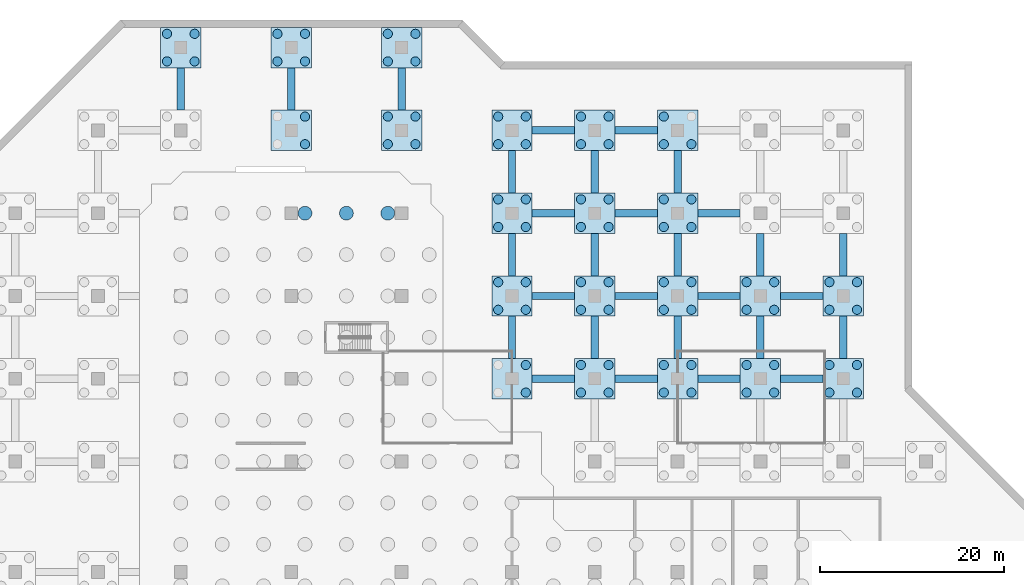
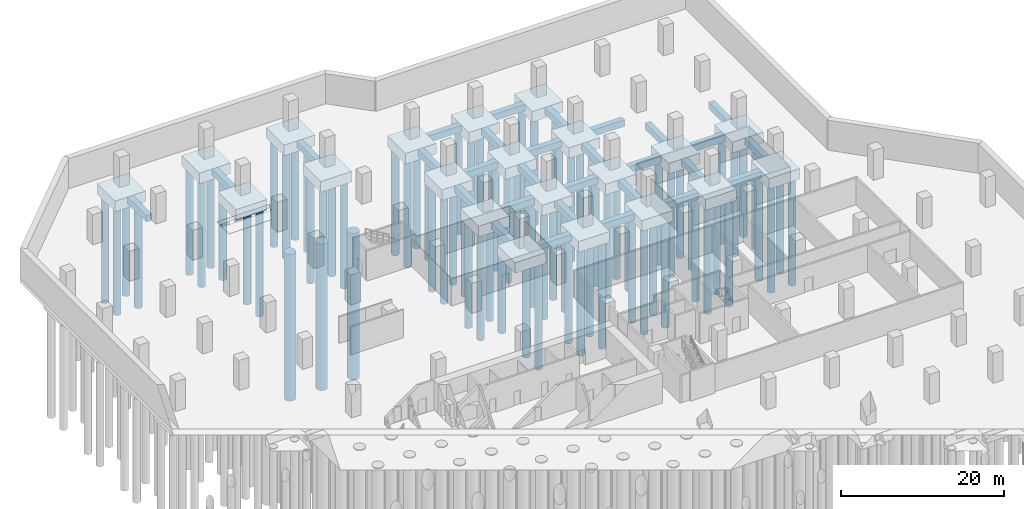
# One storey, part 4 of 13: 82 piles, 50 footings.
"""IFC4 building model written with IfcOpenShell, lengths in metres."""

import ifcopenshell
import ifcopenshell.guid

model = None  # the IFC model being written
_history = None  # IfcOwnerHistory: only IFC2X3 demands one
_inside = {}  # id of a spatial element -> (the spatial element, [elements in it])
_under = {}  # id of a project, library or spatial element -> (it, [spatial elements below it])
_declared = {}  # id of a project -> (the project, [libraries it declares])
_typed = {}  # id of a type object -> (the type object, [elements of that type])
_made_of = {}  # id of a material, layer set ... -> (it, [elements and type objects made of it])


def new_model(schema):
    """Start an empty IFC model of exactly this schema.

    Asked for "IFC4X3", IfcOpenShell would pick the latest addendum, in which some entities
    have other attributes; the version numbers below select the first issue.
    IFC2X3 requires an IfcOwnerHistory on every rooted entity: one is made here for all.
    """
    global model, _history
    if schema == "IFC4X3":
        model = ifcopenshell.file(schema_version=(4, 3, 0, 0))
    else:
        model = ifcopenshell.file(schema=schema)
    _inside.clear()
    _under.clear()
    _declared.clear()
    _typed.clear()
    _made_of.clear()
    _history = None
    if model.schema == "IFC2X3":
        org = make("IfcOrganization", Name="unknown")
        user = make(
            "IfcPersonAndOrganization",
            ThePerson=make("IfcPerson", FamilyName="unknown"),
            TheOrganization=org,
        )
        app = make(
            "IfcApplication",
            ApplicationDeveloper=org,
            Version="unknown",
            ApplicationFullName="unknown",
            ApplicationIdentifier="unknown",
        )
        _history = make(
            "IfcOwnerHistory",
            OwningUser=user,
            OwningApplication=app,
            ChangeAction="ADDED",
            CreationDate=0,
        )
    return model


def make(cls, **values):
    """One entity of the class cls with the attributes given. An attribute that is None is left unset."""
    return model.create_entity(
        cls, **{name: value for name, value in values.items() if value is not None}
    )


def rooted(cls, **values):
    """An entity with a GlobalId (a new one), such as an element, a storey or a relation."""
    return make(cls, GlobalId=ifcopenshell.guid.new(), OwnerHistory=_history, **values)


def si_unit(unit_type, name, prefix=None):
    """IfcSIUnit, for example si_unit("LENGTHUNIT", "METRE", prefix="MILLI")."""
    return make("IfcSIUnit", UnitType=unit_type, Prefix=prefix, Name=name)


def assignment(units):
    """IfcUnitAssignment: the units of a project."""
    return None if units is None else make("IfcUnitAssignment", Units=units)


def point(xyz):
    """IfcCartesianPoint."""
    return None if xyz is None else make("IfcCartesianPoint", Coordinates=xyz)


def direction(xyz):
    """IfcDirection."""
    return None if xyz is None else make("IfcDirection", DirectionRatios=xyz)


def frame(location, z_axis=None, x_axis=None):
    """IfcAxis2Placement3D, a coordinate frame: its origin and axes. An axis left out is left unset."""
    return make(
        "IfcAxis2Placement3D",
        Location=point(location),
        Axis=direction(z_axis),
        RefDirection=direction(x_axis),
    )


def frame_2d(location, x_axis=None):
    """IfcAxis2Placement2D, a coordinate frame in the plane: its origin and x axis."""
    return make(
        "IfcAxis2Placement2D", Location=point(location), RefDirection=direction(x_axis)
    )


def origin():
    """The frame at (0, 0, 0) with its axes left unset."""
    return frame((0.0, 0.0, 0.0))


def origin_2d():
    """The frame at (0, 0) in the plane with its x axis left unset."""
    return frame_2d((0.0, 0.0))


def place(relative_to, where):
    """IfcLocalPlacement: puts the frame where relative to a parent placement (None: the world)."""
    return make(
        "IfcLocalPlacement", PlacementRelTo=relative_to, RelativePlacement=where
    )


def context(
    kind, dimensions, precision=None, world=None, true_north=None, identifier=None
):
    """IfcGeometricRepresentationContext, for example the 3D "Model" context."""
    return make(
        "IfcGeometricRepresentationContext",
        ContextIdentifier=identifier,
        ContextType=kind,
        CoordinateSpaceDimension=dimensions,
        Precision=precision,
        WorldCoordinateSystem=world,
        TrueNorth=true_north,
    )


def subcontext(parent, identifier, kind, view, scale=None):
    """IfcGeometricRepresentationSubContext, for example "Body" below "Model"."""
    return make(
        "IfcGeometricRepresentationSubContext",
        ContextIdentifier=identifier,
        ContextType=kind,
        ParentContext=parent,
        TargetScale=scale,
        TargetView=view,
    )


def project(units=None, contexts=None):
    """IfcProject with its units and contexts."""
    return rooted(
        "IfcProject",
        Name="project",
        RepresentationContexts=contexts,
        UnitsInContext=assignment(units),
    )


def spatial(cls, under=None, at=None, **own):
    """A site, building, storey or space (cls), placed at a placement, below another one or the project."""
    s = rooted(cls, ObjectPlacement=at, **own)
    if under is not None:
        _under.setdefault(under.id(), (under, []))[1].append(s)
    return s


def polyline(points):
    """IfcPolyline through the points."""
    return make("IfcPolyline", Points=[point(p) for p in points])


def profile(cls, at=None, kind="AREA", **sizes):
    """A parametric profile (cls). Its sizes go by their IFC names, for example OverallWidth=200.0."""
    return make(cls, ProfileType=kind, Position=at, **sizes)


def circle(**sizes):
    """IfcCircleProfileDef."""
    return profile("IfcCircleProfileDef", **sizes)


def outline(outer, holes=None, kind="AREA"):
    """IfcArbitraryClosedProfileDef: a profile drawn as a closed curve; with holes, ...WithVoids."""
    if holes is None:
        return make("IfcArbitraryClosedProfileDef", ProfileType=kind, OuterCurve=outer)
    return make(
        "IfcArbitraryProfileDefWithVoids",
        ProfileType=kind,
        OuterCurve=outer,
        InnerCurves=holes,
    )


def extrude(swept, where, along, depth):
    """IfcExtrudedAreaSolid: the profile swept, set in the frame where, extruded along a direction by depth."""
    return make(
        "IfcExtrudedAreaSolid",
        SweptArea=swept,
        Position=where,
        ExtrudedDirection=direction(along),
        Depth=depth,
    )


def shape(context_of_items, identifier, shape_type, items):
    """IfcShapeRepresentation: the items that make up one representation, for example the "Body"."""
    return make(
        "IfcShapeRepresentation",
        ContextOfItems=context_of_items,
        RepresentationIdentifier=identifier,
        RepresentationType=shape_type,
        Items=items,
    )


def material(Name=None, Category=None):
    """IfcMaterial."""
    return make("IfcMaterial", Name=Name, Category=Category)


def layer(
    of_material, thickness, ventilated=None, Name=None, Category=None, Priority=None
):
    """IfcMaterialLayer: one layer of a wall or slab, of a material (None: an air gap)."""
    return make(
        "IfcMaterialLayer",
        Material=of_material,
        LayerThickness=thickness,
        IsVentilated=ventilated,
        Name=Name,
        Category=Category,
        Priority=Priority,
    )


def layer_set(layers, Name=None):
    """IfcMaterialLayerSet."""
    return make("IfcMaterialLayerSet", MaterialLayers=layers, LayerSetName=Name)


def material_profile(
    of_material, cross_section, Name=None, Category=None, Priority=None
):
    """IfcMaterialProfile: a cross section and its material."""
    return make(
        "IfcMaterialProfile",
        Name=Name,
        Material=of_material,
        Profile=cross_section,
        Priority=Priority,
        Category=Category,
    )


def profile_set(profiles, Name=None, composite=None):
    """IfcMaterialProfileSet."""
    return make(
        "IfcMaterialProfileSet",
        Name=Name,
        MaterialProfiles=profiles,
        CompositeProfile=composite,
    )


def made_of(thing, what):
    """Note that an element or type object is made of a material, layer set ...; save() writes the relation."""
    if what is not None:
        _made_of.setdefault(what.id(), (what, []))[1].append(thing)
    return thing


def type_object(cls, material=None, **own):
    """A type object (cls), such as IfcWallType, which elements share."""
    return made_of(rooted(cls, **own), material)


def element(
    cls,
    number,
    at=None,
    inside=None,
    cuts=None,
    type_object=None,
    material=None,
    context=None,
    identifier="Body",
    shape_type=None,
    held_by="IfcProductDefinitionShape",
    body=None,
    shapes=None,
    **own,
):
    """One element of the class cls, such as IfcWall. Its Tag is "e" and its number.

    at: its placement. inside: the storey or other place that contains it. cuts: it is an
    opening in that element (IfcRelVoidsElement). A single representation is given by context,
    identifier, shape_type and body (its items); several are given by shapes. held_by: the class
    of the entity that holds the representations. save() writes the other relations.
    """
    e = rooted(cls, Tag="e%d" % number, ObjectPlacement=at, **own)
    if body is not None:
        shapes = [shape(context, identifier, shape_type, body)]
    if shapes is not None:
        e.Representation = make(held_by, Representations=shapes)
    if inside is not None:
        _inside.setdefault(inside.id(), (inside, []))[1].append(e)
    if cuts is not None:
        rooted(
            "IfcRelVoidsElement", RelatingBuildingElement=cuts, RelatedOpeningElement=e
        )
    if type_object is not None:
        _typed.setdefault(type_object.id(), (type_object, []))[1].append(e)
    return made_of(e, material)


def aggregate(whole, parts):
    """IfcRelAggregates: a whole, such as a stair, and the parts it consists of."""
    return rooted("IfcRelAggregates", RelatingObject=whole, RelatedObjects=parts)


def save(model, path):
    """Write the relations noted so far, then the file.

    IfcRelAggregates (storeys below a building ...), IfcRelContainedInSpatialStructure (elements
    in a storey), IfcRelDefinesByType, IfcRelAssociatesMaterial and IfcRelDeclares: one each for
    every whole, place, type object, material and project.
    """
    for whole, parts in _under.values():
        aggregate(whole, parts)
    for where, things in _inside.values():
        rooted(
            "IfcRelContainedInSpatialStructure",
            RelatedElements=things,
            RelatingStructure=where,
        )
    for kind, things in _typed.values():
        rooted("IfcRelDefinesByType", RelatedObjects=things, RelatingType=kind)
    for what, things in _made_of.values():
        rooted("IfcRelAssociatesMaterial", RelatedObjects=things, RelatingMaterial=what)
    for by, libraries in _declared.values():
        rooted("IfcRelDeclares", RelatingContext=by, RelatedDefinitions=libraries)
    model.write(path)


model = new_model("IFC4")

# Units and contexts
model_context = context("Model", 3, precision=1e-05, world=origin(), true_north=direction((0.0, 1.0)))
body_context = subcontext(model_context, "Body", "Model", "MODEL_VIEW")
ifc_project = project(units=[si_unit("LENGTHUNIT", "METRE"), si_unit("AREAUNIT", "SQUARE_METRE"), si_unit("VOLUMEUNIT", "CUBIC_METRE"), si_unit("PLANEANGLEUNIT", "RADIAN"), si_unit("MASSUNIT", "GRAM", prefix="KILO")], contexts=[model_context])

# Site, building, storey
site_placement = place(None, origin())
site = spatial("IfcSite", under=ifc_project, at=site_placement, CompositionType="ELEMENT")
building_placement = place(site_placement, origin())
building = spatial("IfcBuilding", under=site, at=building_placement, Name="Chenar Terraces", CompositionType="ELEMENT")
storey_placement = place(building_placement, frame((0.0, 0.0, -13.5)))
storey = spatial("IfcBuildingStorey", under=building, at=storey_placement, Name="B3", CompositionType="ELEMENT", Elevation=-13.5)

# Piles
ifc_material_1 = material(Name="Concrete C40/50 sulfate-resisting", Category="concrete")
ifc_material_profile_1 = material_profile(ifc_material_1, circle(Radius=0.5, at=origin_2d()), Name="BP 1000")
ifc_profile_set_1 = profile_set([ifc_material_profile_1], Name="Concrete C40/50 sulfate-resisting")
pile_type_1 = type_object("IfcPileType", Name="Bored pile 1000", PredefinedType="BORED", material=ifc_profile_set_1)
for number, where, z_axis, x_axis, name in (
    (1, (-1.5, 79.5, -2.10009765625), (0.0, 0.0, -1.0), (1.0, 0.0, 0.0), "Pile 5/N 1"),
    (2, (1.5, 79.5, -2.10009765625), (0.0, 0.0, -1.0), (1.0, 0.0, 0.0), "Pile 5/N 2"),
    (3, (-1.5, 82.5, -2.10009765625), (0.0, 0.0, -1.0), (1.0, 0.0, 0.0), "Pile 5/N 3"),
    (4, (1.5, 82.5, -2.10009765625), (0.0, 0.0, -1.0), (1.0, 0.0, 0.0), "Pile 5/N 4"),
    (5, (13.5, 70.5, -2.10009765625), (0.0, 0.0, -1.0), (1.0, 0.0, 0.0), "Pile 6/M 2"),
    (6, (13.5, 73.5, -2.10009765625), (0.0, 0.0, -1.0), (1.0, 0.0, 0.0), "Pile 6/M 4"),
    (7, (10.5, 79.5, -2.10009765625), (0.0, 0.0, -1.0), (1.0, 0.0, 0.0), "Pile 6/N 1"),
    (8, (13.5, 79.5, -2.10009765625), (0.0, 0.0, -1.0), (1.0, 0.0, 0.0), "Pile 6/N 2"),
    (9, (10.5, 82.5, -2.10009765625), (0.0, 0.0, -1.0), (1.0, 0.0, 0.0), "Pile 6/N 3"),
    (10, (13.5, 82.5, -2.10009765625), (0.0, 0.0, -1.0), (1.0, 0.0, 0.0), "Pile 6/N 4"),
    (11, (22.5, 70.5, -2.10009765625), (0.0, 0.0, -1.0), (1.0, 0.0, 0.0), "Pile 7/M 1"),
    (12, (25.5, 70.5, -2.10009765625), (0.0, 0.0, -1.0), (1.0, 0.0, 0.0), "Pile 7/M 2"),
    (13, (22.5, 73.5, -2.10009765625), (0.0, 0.0, -1.0), (1.0, 0.0, 0.0), "Pile 7/M 3"),
    (14, (25.5, 73.5, -2.10009765625), (0.0, 0.0, -1.0), (1.0, 0.0, 0.0), "Pile 7/M 4"),
    (15, (22.5, 79.5, -2.10009765625), (0.0, 0.0, -1.0), (1.0, 0.0, 0.0), "Pile 7/N 1"),
    (16, (25.5, 79.5, -2.10009765625), (0.0, 0.0, -1.0), (1.0, 0.0, 0.0), "Pile 7/N 2"),
    (17, (22.5, 82.5, -2.10009765625), (0.0, 0.0, -1.0), (1.0, 0.0, 0.0), "Pile 7/N 3"),
    (18, (25.5, 82.5, -2.10009765625), (0.0, 0.0, -1.0), (1.0, 0.0, 0.0), "Pile 7/N 4"),
    (19, (37.5, 43.5, -2.10009765625), (0.0, 0.0, -1.0), (1.0, 0.0, 0.0), "Pile 8/J 2"),
    (20, (37.5, 46.5, -2.10009765625), (0.0, 0.0, -1.0), (1.0, 0.0, 0.0), "Pile 8/J 4"),
    (21, (34.5, 52.5, -2.10009765625), (0.0, 0.0, -1.0), (1.0, 0.0, 0.0), "Pile 8/K 1"),
    (22, (37.5, 52.5, -2.10009765625), (0.0, 0.0, -1.0), (1.0, 0.0, 0.0), "Pile 8/K 2"),
    (23, (34.5, 55.5, -2.10009765625), (0.0, 0.0, -1.0), (1.0, 0.0, 0.0), "Pile 8/K 3"),
    (24, (37.5, 55.5, -2.10009765625), (0.0, 0.0, -1.0), (1.0, 0.0, 0.0), "Pile 8/K 4"),
    (25, (34.5, 61.5, -2.10009765625), (0.0, 0.0, -1.0), (1.0, 0.0, 0.0), "Pile 8/L 1"),
    (26, (37.5, 61.5, -2.10009765625), (0.0, 0.0, -1.0), (1.0, 0.0, 0.0), "Pile 8/L 2"),
    (27, (34.5, 64.5, -2.10009765625), (0.0, 0.0, -1.0), (1.0, 0.0, 0.0), "Pile 8/L 3"),
    (28, (37.5, 64.5, -2.10009765625), (0.0, 0.0, -1.0), (1.0, 0.0, 0.0), "Pile 8/L 4"),
    (29, (34.5, 70.5, -2.10009765625), (0.0, 0.0, -1.0), (1.0, 0.0, 0.0), "Pile 8/M 1"),
    (30, (37.5, 70.5, -2.10009765625), (0.0, 0.0, -1.0), (1.0, 0.0, 0.0), "Pile 8/M 2"),
    (31, (34.5, 73.5, -2.10009765625), (0.0, 0.0, -1.0), (1.0, 0.0, 0.0), "Pile 8/M 3"),
    (32, (37.5, 73.5, -2.10009765625), (0.0, 0.0, -1.0), (1.0, 0.0, 0.0), "Pile 8/M 4"),
    (33, (43.5, 43.5, -2.10009765625), (0.0, 0.0, -1.0), (1.0, 0.0, 0.0), "Pile 9/J 1"),
    (34, (46.5, 43.5, -2.10009765625), (0.0, 0.0, -1.0), (1.0, 0.0, 0.0), "Pile 9/J 2"),
    (35, (43.5, 46.5, -2.10009765625), (0.0, 0.0, -1.0), (1.0, 0.0, 0.0), "Pile 9/J 3"),
    (36, (46.5, 46.5, -2.10009765625), (0.0, 0.0, -1.0), (1.0, 0.0, 0.0), "Pile 9/J 4"),
    (37, (43.5, 52.5, -2.10009765625), (0.0, 0.0, -1.0), (1.0, 0.0, 0.0), "Pile 9/K 1"),
    (38, (46.5, 52.5, -2.10009765625), (0.0, 0.0, -1.0), (1.0, 0.0, 0.0), "Pile 9/K 2"),
    (39, (43.5, 55.5, -2.10009765625), (0.0, 0.0, -1.0), (1.0, 0.0, 0.0), "Pile 9/K 3"),
    (40, (46.5, 55.5, -2.10009765625), (0.0, 0.0, -1.0), (1.0, 0.0, 0.0), "Pile 9/K 4"),
    (41, (43.5, 61.5, -2.10009765625), (0.0, 0.0, -1.0), (1.0, 0.0, 0.0), "Pile 9/L 1"),
    (42, (46.5, 61.5, -2.10009765625), (0.0, 0.0, -1.0), (1.0, 0.0, 0.0), "Pile 9/L 2"),
    (43, (43.5, 64.5, -2.10009765625), (0.0, 0.0, -1.0), (1.0, 0.0, 0.0), "Pile 9/L 3"),
    (44, (46.5, 64.5, -2.10009765625), (0.0, 0.0, -1.0), (1.0, 0.0, 0.0), "Pile 9/L 4"),
    (45, (43.5, 70.5, -2.10009765625), (0.0, 0.0, -1.0), (1.0, 0.0, 0.0), "Pile 9/M 1"),
    (46, (46.5, 70.5, -2.10009765625), (0.0, 0.0, -1.0), (1.0, 0.0, 0.0), "Pile 9/M 2"),
    (47, (43.5, 73.5, -2.10009765625), (0.0, 0.0, -1.0), (1.0, 0.0, 0.0), "Pile 9/M 3"),
    (48, (46.5, 73.5, -2.10009765625), (0.0, 0.0, -1.0), (1.0, 0.0, 0.0), "Pile 9/M 4"),
    (49, (52.5, 43.5, -2.10009765625), (0.0, 0.0, -1.0), (1.0, 0.0, 0.0), "Pile 10/J 1"),
    (50, (55.5, 43.5, -2.10009765625), (0.0, 0.0, -1.0), (1.0, 0.0, 0.0), "Pile 10/J 2"),
    (51, (52.5, 46.5, -2.10009765625), (0.0, 0.0, -1.0), (1.0, 0.0, 0.0), "Pile 10/J 3"),
    (52, (55.5, 46.5, -2.10009765625), (0.0, 0.0, -1.0), (1.0, 0.0, 0.0), "Pile 10/J 4"),
    (53, (52.5, 52.5, -2.10009765625), (0.0, 0.0, -1.0), (1.0, 0.0, 0.0), "Pile 10/K 1"),
    (54, (55.5, 52.5, -2.10009765625), (0.0, 0.0, -1.0), (1.0, 0.0, 0.0), "Pile 10/K 2"),
    (55, (52.5, 55.5, -2.10009765625), (0.0, 0.0, -1.0), (1.0, 0.0, 0.0), "Pile 10/K 3"),
    (56, (55.5, 55.5, -2.10009765625), (0.0, 0.0, -1.0), (1.0, 0.0, 0.0), "Pile 10/K 4"),
    (57, (52.5, 61.5, -2.10009765625), (0.0, 0.0, -1.0), (1.0, 0.0, 0.0), "Pile 10/L 1"),
    (58, (55.5, 61.5, -2.10009765625), (0.0, 0.0, -1.0), (1.0, 0.0, 0.0), "Pile 10/L 2"),
    (59, (52.5, 64.5, -2.10009765625), (0.0, 0.0, -1.0), (1.0, 0.0, 0.0), "Pile 10/L 3"),
    (60, (55.5, 64.5, -2.10009765625), (0.0, 0.0, -1.0), (1.0, 0.0, 0.0), "Pile 10/L 4"),
    (61, (52.5, 70.5, -2.10009765625), (0.0, 0.0, -1.0), (1.0, 0.0, 0.0), "Pile 10/M 1"),
    (62, (55.5, 70.5, -2.10009765625), (0.0, 0.0, -1.0), (1.0, 0.0, 0.0), "Pile 10/M 2"),
    (63, (52.5, 73.5, -2.10009765625), (0.0, 0.0, -1.0), (1.0, 0.0, 0.0), "Pile 10/M 3"),
    (64, (61.5, 43.5, -2.10009765625), (0.0, 0.0, -1.0), (1.0, 0.0, 0.0), "Pile 11/J 1"),
    (65, (64.5, 43.5, -2.10009765625), (0.0, 0.0, -1.0), (1.0, 0.0, 0.0), "Pile 11/J 2"),
    (66, (61.5, 46.5, -2.10009765625), (0.0, 0.0, -1.0), (1.0, 0.0, 0.0), "Pile 11/J 3"),
    (67, (64.5, 46.5, -2.10009765625), (0.0, 0.0, -1.0), (1.0, 0.0, 0.0), "Pile 11/J 4"),
    (68, (61.5, 52.5, -2.10009765625), (0.0, 0.0, -1.0), (1.0, 0.0, 0.0), "Pile 11/K 1"),
    (69, (64.5, 52.5, -2.10009765625), (0.0, 0.0, -1.0), (1.0, 0.0, 0.0), "Pile 11/K 2"),
    (70, (61.5, 55.5, -2.10009765625), (0.0, 0.0, -1.0), (1.0, 0.0, 0.0), "Pile 11/K 3"),
    (71, (64.5, 55.5, -2.10009765625), (0.0, 0.0, -1.0), (1.0, 0.0, 0.0), "Pile 11/K 4"),
    (72, (70.5, 43.5, -2.10009765625), (0.0, 0.0, -1.0), (1.0, 0.0, 0.0), "Pile 12/J 1"),
    (73, (73.5, 43.5, -2.10009765625), (0.0, 0.0, -1.0), (1.0, 0.0, 0.0), "Pile 12/J 2"),
    (74, (70.5, 46.5, -2.10009765625), (0.0, 0.0, -1.0), (1.0, 0.0, 0.0), "Pile 12/J 3"),
    (75, (73.5, 46.5, -2.10009765625), (0.0, 0.0, -1.0), (1.0, 0.0, 0.0), "Pile 12/J 4"),
    (76, (70.5, 52.5, -2.10009765625), (0.0, 0.0, -1.0), (1.0, 0.0, 0.0), "Pile 12/K 1"),
    (77, (73.5, 52.5, -2.10009765625), (0.0, 0.0, -1.0), (1.0, 0.0, 0.0), "Pile 12/K 2"),
    (78, (70.5, 55.5, -2.10009765625), (0.0, 0.0, -1.0), (1.0, 0.0, 0.0), "Pile 12/K 3"),
    (79, (73.5, 55.5, -2.10009765625), (0.0, 0.0, -1.0), (1.0, 0.0, 0.0), "Pile 12/K 4"),
):
    element("IfcPile", number, at=place(storey_placement, frame(where, z_axis=z_axis, x_axis=x_axis)), inside=storey, type_object=pile_type_1, Name=name, PredefinedType="BORED", context=body_context, shape_type="SweptSolid", body=[
        extrude(circle(Radius=0.5, at=origin_2d()), origin(), (0.0, 0.0, 1.0), 16.0),
    ])
ifc_material_2 = material(Name="Concrete C40/50 sulfate-resisting", Category="concrete")
ifc_material_profile_2 = material_profile(ifc_material_2, circle(Radius=0.75, at=origin_2d()), Name="BP 1500")
ifc_profile_set_2 = profile_set([ifc_material_profile_2], Name="Concrete C40/50 sulfate-resisting")
pile_type_2 = type_object("IfcPileType", Name="Bored pile 1500", PredefinedType="BORED", material=ifc_profile_set_2)
for number, where, z_axis, x_axis, name in (
    (80, (13.5, 63.0, -4.0), (0.0, 0.0, -1.0), (1.0, 0.0, 0.0), "Raft pile 172"),
    (81, (18.0, 63.0, -4.0), (0.0, 0.0, -1.0), (1.0, 0.0, 0.0), "Raft pile 173"),
    (82, (22.5, 63.0, -4.0), (0.0, 0.0, -1.0), (1.0, 0.0, 0.0), "Raft pile 174"),
):
    element("IfcPile", number, at=place(storey_placement, frame(where, z_axis=z_axis, x_axis=x_axis)), inside=storey, type_object=pile_type_2, Name=name, PredefinedType="BORED", context=body_context, shape_type="SweptSolid", body=[
        extrude(circle(Radius=0.75, at=origin_2d()), origin(), (0.0, 0.0, 1.0), 22.0),
    ])

# Footings
ifc_material_3 = material(Name="Concrete C40/50 sulfate-resisting", Category="concrete")
ifc_layer_1 = layer(ifc_material_3, 1.0)
ifc_layer_set_1 = layer_set([ifc_layer_1], Name="Concrete C40/50 sulfate-resisting")
footing_type_1 = type_object("IfcFootingType", Name="Footing tie beam 800 x 1000", PredefinedType="FOOTING_BEAM", material=ifc_layer_set_1)
placement_1 = place(storey_placement, frame((0.0, 0.0, -1.60009765625)))
element("IfcFooting", 83, at=placement_1, inside=storey, type_object=footing_type_1, Name="Footing tie beam 5M-01", PredefinedType="FOOTING_BEAM", context=body_context, shape_type="SweptSolid", body=[
    extrude(outline(polyline([(0.39990234375, 74.199951171875), (0.39990234375, 78.800048828125), (-0.39990234375, 78.800048828125), (-0.39990234375, 74.199951171875), (0.39990234375, 74.199951171875)])), origin(), (0.0, 0.0, 1.0), 1.0),
])
element("IfcFooting", 84, at=placement_1, inside=storey, type_object=footing_type_1, Name="Footing tie beam 6M-01", PredefinedType="FOOTING_BEAM", context=body_context, shape_type="SweptSolid", body=[
    extrude(outline(polyline([(12.39990234375, 74.199951171875), (12.39990234375, 78.800048828125), (11.60009765625, 78.800048828125), (11.60009765625, 74.199951171875), (12.39990234375, 74.199951171875)])), origin(), (0.0, 0.0, 1.0), 1.0),
])
element("IfcFooting", 85, at=placement_1, inside=storey, type_object=footing_type_1, Name="Footing tie beam 7M-01", PredefinedType="FOOTING_BEAM", context=body_context, shape_type="SweptSolid", body=[
    extrude(outline(polyline([(24.39990234375, 74.199951171875), (24.39990234375, 78.800048828125), (23.60009765625, 78.800048828125), (23.60009765625, 74.199951171875), (24.39990234375, 74.199951171875)])), origin(), (0.0, 0.0, 1.0), 1.0),
])
element("IfcFooting", 86, at=placement_1, inside=storey, type_object=footing_type_1, Name="Footing tie beam 8J-10", PredefinedType="FOOTING_BEAM", context=body_context, shape_type="SweptSolid", body=[
    extrude(outline(polyline([(42.800048828125, 44.60009765625), (42.800048828125, 45.39990234375), (38.199951171875, 45.39990234375), (38.199951171875, 44.60009765625), (42.800048828125, 44.60009765625)])), origin(), (0.0, 0.0, 1.0), 1.0),
])
element("IfcFooting", 87, at=placement_1, inside=storey, type_object=footing_type_1, Name="Footing tie beam 8J-01", PredefinedType="FOOTING_BEAM", context=body_context, shape_type="SweptSolid", body=[
    extrude(outline(polyline([(36.39990234375, 47.199951171875), (36.39990234375, 51.800048828125), (35.60009765625, 51.800048828125), (35.60009765625, 47.199951171875), (36.39990234375, 47.199951171875)])), origin(), (0.0, 0.0, 1.0), 1.0),
])
element("IfcFooting", 88, at=placement_1, inside=storey, type_object=footing_type_1, Name="Footing tie beam 8K-10", PredefinedType="FOOTING_BEAM", context=body_context, shape_type="SweptSolid", body=[
    extrude(outline(polyline([(42.800048828125, 53.60009765625), (42.800048828125, 54.39990234375), (38.199951171875, 54.39990234375), (38.199951171875, 53.60009765625), (42.800048828125, 53.60009765625)])), origin(), (0.0, 0.0, 1.0), 1.0),
])
element("IfcFooting", 89, at=placement_1, inside=storey, type_object=footing_type_1, Name="Footing tie beam 8K-01", PredefinedType="FOOTING_BEAM", context=body_context, shape_type="SweptSolid", body=[
    extrude(outline(polyline([(36.39990234375, 56.199951171875), (36.39990234375, 60.800048828125), (35.60009765625, 60.800048828125), (35.60009765625, 56.199951171875), (36.39990234375, 56.199951171875)])), origin(), (0.0, 0.0, 1.0), 1.0),
])
element("IfcFooting", 90, at=placement_1, inside=storey, type_object=footing_type_1, Name="Footing tie beam 8L-10", PredefinedType="FOOTING_BEAM", context=body_context, shape_type="SweptSolid", body=[
    extrude(outline(polyline([(42.800048828125, 62.60009765625), (42.800048828125, 63.39990234375), (38.199951171875, 63.39990234375), (38.199951171875, 62.60009765625), (42.800048828125, 62.60009765625)])), origin(), (0.0, 0.0, 1.0), 1.0),
])
element("IfcFooting", 91, at=placement_1, inside=storey, type_object=footing_type_1, Name="Footing tie beam 8L-01", PredefinedType="FOOTING_BEAM", context=body_context, shape_type="SweptSolid", body=[
    extrude(outline(polyline([(36.39990234375, 65.199951171875), (36.39990234375, 69.800048828125), (35.60009765625, 69.800048828125), (35.60009765625, 65.199951171875), (36.39990234375, 65.199951171875)])), origin(), (0.0, 0.0, 1.0), 1.0),
])
element("IfcFooting", 92, at=placement_1, inside=storey, type_object=footing_type_1, Name="Footing tie beam 8M-10", PredefinedType="FOOTING_BEAM", context=body_context, shape_type="SweptSolid", body=[
    extrude(outline(polyline([(42.800048828125, 71.60009765625), (42.800048828125, 72.39990234375), (38.199951171875, 72.39990234375), (38.199951171875, 71.60009765625), (42.800048828125, 71.60009765625)])), origin(), (0.0, 0.0, 1.0), 1.0),
])
element("IfcFooting", 93, at=placement_1, inside=storey, type_object=footing_type_1, Name="Footing tie beam 9J-10", PredefinedType="FOOTING_BEAM", context=body_context, shape_type="SweptSolid", body=[
    extrude(outline(polyline([(51.800048828125, 44.60009765625), (51.800048828125, 45.39990234375), (47.199951171875, 45.39990234375), (47.199951171875, 44.60009765625), (51.800048828125, 44.60009765625)])), origin(), (0.0, 0.0, 1.0), 1.0),
])
element("IfcFooting", 94, at=placement_1, inside=storey, type_object=footing_type_1, Name="Footing tie beam 9J-01", PredefinedType="FOOTING_BEAM", context=body_context, shape_type="SweptSolid", body=[
    extrude(outline(polyline([(45.39990234375, 47.199951171875), (45.39990234375, 51.800048828125), (44.60009765625, 51.800048828125), (44.60009765625, 47.199951171875), (45.39990234375, 47.199951171875)])), origin(), (0.0, 0.0, 1.0), 1.0),
])
element("IfcFooting", 95, at=placement_1, inside=storey, type_object=footing_type_1, Name="Footing tie beam 9K-10", PredefinedType="FOOTING_BEAM", context=body_context, shape_type="SweptSolid", body=[
    extrude(outline(polyline([(51.800048828125, 53.60009765625), (51.800048828125, 54.39990234375), (47.199951171875, 54.39990234375), (47.199951171875, 53.60009765625), (51.800048828125, 53.60009765625)])), origin(), (0.0, 0.0, 1.0), 1.0),
])
element("IfcFooting", 96, at=placement_1, inside=storey, type_object=footing_type_1, Name="Footing tie beam 9K-01", PredefinedType="FOOTING_BEAM", context=body_context, shape_type="SweptSolid", body=[
    extrude(outline(polyline([(45.39990234375, 56.199951171875), (45.39990234375, 60.800048828125), (44.60009765625, 60.800048828125), (44.60009765625, 56.199951171875), (45.39990234375, 56.199951171875)])), origin(), (0.0, 0.0, 1.0), 1.0),
])
element("IfcFooting", 97, at=placement_1, inside=storey, type_object=footing_type_1, Name="Footing tie beam 9L-10", PredefinedType="FOOTING_BEAM", context=body_context, shape_type="SweptSolid", body=[
    extrude(outline(polyline([(51.800048828125, 62.60009765625), (51.800048828125, 63.39990234375), (47.199951171875, 63.39990234375), (47.199951171875, 62.60009765625), (51.800048828125, 62.60009765625)])), origin(), (0.0, 0.0, 1.0), 1.0),
])
element("IfcFooting", 98, at=placement_1, inside=storey, type_object=footing_type_1, Name="Footing tie beam 9L-01", PredefinedType="FOOTING_BEAM", context=body_context, shape_type="SweptSolid", body=[
    extrude(outline(polyline([(45.39990234375, 65.199951171875), (45.39990234375, 69.800048828125), (44.60009765625, 69.800048828125), (44.60009765625, 65.199951171875), (45.39990234375, 65.199951171875)])), origin(), (0.0, 0.0, 1.0), 1.0),
])
element("IfcFooting", 99, at=placement_1, inside=storey, type_object=footing_type_1, Name="Footing tie beam 9M-10", PredefinedType="FOOTING_BEAM", context=body_context, shape_type="SweptSolid", body=[
    extrude(outline(polyline([(51.800048828125, 71.60009765625), (51.800048828125, 72.39990234375), (47.199951171875, 72.39990234375), (47.199951171875, 71.60009765625), (51.800048828125, 71.60009765625)])), origin(), (0.0, 0.0, 1.0), 1.0),
])
element("IfcFooting", 100, at=placement_1, inside=storey, type_object=footing_type_1, Name="Footing tie beam 10J-10", PredefinedType="FOOTING_BEAM", context=body_context, shape_type="SweptSolid", body=[
    extrude(outline(polyline([(60.800048828125, 44.60009765625), (60.800048828125, 45.39990234375), (56.199951171875, 45.39990234375), (56.199951171875, 44.60009765625), (60.800048828125, 44.60009765625)])), origin(), (0.0, 0.0, 1.0), 1.0),
])
element("IfcFooting", 101, at=placement_1, inside=storey, type_object=footing_type_1, Name="Footing tie beam 10J-01", PredefinedType="FOOTING_BEAM", context=body_context, shape_type="SweptSolid", body=[
    extrude(outline(polyline([(54.39990234375, 47.199951171875), (54.39990234375, 51.800048828125), (53.60009765625, 51.800048828125), (53.60009765625, 47.199951171875), (54.39990234375, 47.199951171875)])), origin(), (0.0, 0.0, 1.0), 1.0),
])
element("IfcFooting", 102, at=placement_1, inside=storey, type_object=footing_type_1, Name="Footing tie beam 10K-10", PredefinedType="FOOTING_BEAM", context=body_context, shape_type="SweptSolid", body=[
    extrude(outline(polyline([(60.800048828125, 53.60009765625), (60.800048828125, 54.39990234375), (56.199951171875, 54.39990234375), (56.199951171875, 53.60009765625), (60.800048828125, 53.60009765625)])), origin(), (0.0, 0.0, 1.0), 1.0),
])
element("IfcFooting", 103, at=placement_1, inside=storey, type_object=footing_type_1, Name="Footing tie beam 10K-01", PredefinedType="FOOTING_BEAM", context=body_context, shape_type="SweptSolid", body=[
    extrude(outline(polyline([(54.39990234375, 56.199951171875), (54.39990234375, 60.800048828125), (53.60009765625, 60.800048828125), (53.60009765625, 56.199951171875), (54.39990234375, 56.199951171875)])), origin(), (0.0, 0.0, 1.0), 1.0),
])
element("IfcFooting", 104, at=placement_1, inside=storey, type_object=footing_type_1, Name="Footing tie beam 10L-10", PredefinedType="FOOTING_BEAM", context=body_context, shape_type="SweptSolid", body=[
    extrude(outline(polyline([(60.800048828125, 62.60009765625), (60.800048828125, 63.39990234375), (56.199951171875, 63.39990234375), (56.199951171875, 62.60009765625), (60.800048828125, 62.60009765625)])), origin(), (0.0, 0.0, 1.0), 1.0),
])
element("IfcFooting", 105, at=placement_1, inside=storey, type_object=footing_type_1, Name="Footing tie beam 10L-01", PredefinedType="FOOTING_BEAM", context=body_context, shape_type="SweptSolid", body=[
    extrude(outline(polyline([(54.39990234375, 65.199951171875), (54.39990234375, 69.800048828125), (53.60009765625, 69.800048828125), (53.60009765625, 65.199951171875), (54.39990234375, 65.199951171875)])), origin(), (0.0, 0.0, 1.0), 1.0),
])
element("IfcFooting", 106, at=placement_1, inside=storey, type_object=footing_type_1, Name="Footing tie beam 11J-10", PredefinedType="FOOTING_BEAM", context=body_context, shape_type="SweptSolid", body=[
    extrude(outline(polyline([(69.800048828125, 44.60009765625), (69.800048828125, 45.39990234375), (65.199951171875, 45.39990234375), (65.199951171875, 44.60009765625), (69.800048828125, 44.60009765625)])), origin(), (0.0, 0.0, 1.0), 1.0),
])
element("IfcFooting", 107, at=placement_1, inside=storey, type_object=footing_type_1, Name="Footing tie beam 11J-01", PredefinedType="FOOTING_BEAM", context=body_context, shape_type="SweptSolid", body=[
    extrude(outline(polyline([(63.39990234375, 47.199951171875), (63.39990234375, 51.800048828125), (62.60009765625, 51.800048828125), (62.60009765625, 47.199951171875), (63.39990234375, 47.199951171875)])), origin(), (0.0, 0.0, 1.0), 1.0),
])
element("IfcFooting", 108, at=placement_1, inside=storey, type_object=footing_type_1, Name="Footing tie beam 11K-10", PredefinedType="FOOTING_BEAM", context=body_context, shape_type="SweptSolid", body=[
    extrude(outline(polyline([(69.800048828125, 53.60009765625), (69.800048828125, 54.39990234375), (65.199951171875, 54.39990234375), (65.199951171875, 53.60009765625), (69.800048828125, 53.60009765625)])), origin(), (0.0, 0.0, 1.0), 1.0),
])
element("IfcFooting", 109, at=placement_1, inside=storey, type_object=footing_type_1, Name="Footing tie beam 11K-01", PredefinedType="FOOTING_BEAM", context=body_context, shape_type="SweptSolid", body=[
    extrude(outline(polyline([(63.39990234375, 56.199951171875), (63.39990234375, 60.800048828125), (62.60009765625, 60.800048828125), (62.60009765625, 56.199951171875), (63.39990234375, 56.199951171875)])), origin(), (0.0, 0.0, 1.0), 1.0),
])
element("IfcFooting", 110, at=placement_1, inside=storey, type_object=footing_type_1, Name="Footing tie beam 12J-01", PredefinedType="FOOTING_BEAM", context=body_context, shape_type="SweptSolid", body=[
    extrude(outline(polyline([(72.39990234375, 47.199951171875), (72.39990234375, 51.800048828125), (71.60009765625, 51.800048828125), (71.60009765625, 47.199951171875), (72.39990234375, 47.199951171875)])), origin(), (0.0, 0.0, 1.0), 1.0),
])
element("IfcFooting", 111, at=placement_1, inside=storey, type_object=footing_type_1, Name="Footing tie beam 12K-01", PredefinedType="FOOTING_BEAM", context=body_context, shape_type="SweptSolid", body=[
    extrude(outline(polyline([(72.39990234375, 56.199951171875), (72.39990234375, 60.800048828125), (71.60009765625, 60.800048828125), (71.60009765625, 56.199951171875), (72.39990234375, 56.199951171875)])), origin(), (0.0, 0.0, 1.0), 1.0),
])
ifc_material_4 = material(Name="Concrete C40/50 sulfate-resisting", Category="concrete")
ifc_layer_2 = layer(ifc_material_4, 1.60009765625)
ifc_layer_set_2 = layer_set([ifc_layer_2], Name="Concrete C40/50 sulfate-resisting")
footing_type_2 = type_object("IfcFootingType", Name="Pile cap 4400 x 4400 x 1600", PredefinedType="PILE_CAP", material=ifc_layer_set_2)
placement_2 = place(storey_placement, frame((0.0, 0.0, -2.199951171875)))
element("IfcFooting", 112, at=placement_2, inside=storey, type_object=footing_type_2, Name="Pile cap 5/N", PredefinedType="PILE_CAP", context=body_context, shape_type="SweptSolid", body=[
    extrude(outline(polyline([(2.199951171875, 78.800048828125), (2.199951171875, 83.199951171875), (-2.199951171875, 83.199951171875), (-2.199951171875, 78.800048828125), (2.199951171875, 78.800048828125)])), origin(), (0.0, 0.0, 1.0), 1.599853515625),
])
element("IfcFooting", 113, at=placement_2, inside=storey, type_object=footing_type_2, Name="Pile cap 6/M", PredefinedType="PILE_CAP", context=body_context, shape_type="SweptSolid", body=[
    extrude(outline(polyline([(14.199951171875, 69.800048828125), (14.199951171875, 74.199951171875), (9.800048828125, 74.199951171875), (9.800048828125, 69.800048828125), (14.199951171875, 69.800048828125)])), origin(), (0.0, 0.0, 1.0), 1.599853515625),
])
element("IfcFooting", 114, at=placement_2, inside=storey, type_object=footing_type_2, Name="Pile cap 6/N", PredefinedType="PILE_CAP", context=body_context, shape_type="SweptSolid", body=[
    extrude(outline(polyline([(14.199951171875, 78.800048828125), (14.199951171875, 83.199951171875), (9.800048828125, 83.199951171875), (9.800048828125, 78.800048828125), (14.199951171875, 78.800048828125)])), origin(), (0.0, 0.0, 1.0), 1.599853515625),
])
element("IfcFooting", 115, at=placement_2, inside=storey, type_object=footing_type_2, Name="Pile cap 7/M", PredefinedType="PILE_CAP", context=body_context, shape_type="SweptSolid", body=[
    extrude(outline(polyline([(26.199951171875, 69.800048828125), (26.199951171875, 74.199951171875), (21.800048828125, 74.199951171875), (21.800048828125, 69.800048828125), (26.199951171875, 69.800048828125)])), origin(), (0.0, 0.0, 1.0), 1.599853515625),
])
element("IfcFooting", 116, at=placement_2, inside=storey, type_object=footing_type_2, Name="Pile cap 7/N", PredefinedType="PILE_CAP", context=body_context, shape_type="SweptSolid", body=[
    extrude(outline(polyline([(26.199951171875, 78.800048828125), (26.199951171875, 83.199951171875), (21.800048828125, 83.199951171875), (21.800048828125, 78.800048828125), (26.199951171875, 78.800048828125)])), origin(), (0.0, 0.0, 1.0), 1.599853515625),
])
element("IfcFooting", 117, at=placement_2, inside=storey, type_object=footing_type_2, Name="Pile cap 8/J", PredefinedType="PILE_CAP", context=body_context, shape_type="SweptSolid", body=[
    extrude(outline(polyline([(38.199951171875, 42.800048828125), (38.199951171875, 47.199951171875), (33.800048828125, 47.199951171875), (33.800048828125, 42.800048828125), (38.199951171875, 42.800048828125)])), origin(), (0.0, 0.0, 1.0), 1.599853515625),
])
element("IfcFooting", 118, at=placement_2, inside=storey, type_object=footing_type_2, Name="Pile cap 8/K", PredefinedType="PILE_CAP", context=body_context, shape_type="SweptSolid", body=[
    extrude(outline(polyline([(38.199951171875, 51.800048828125), (38.199951171875, 56.199951171875), (33.800048828125, 56.199951171875), (33.800048828125, 51.800048828125), (38.199951171875, 51.800048828125)])), origin(), (0.0, 0.0, 1.0), 1.599853515625),
])
element("IfcFooting", 119, at=placement_2, inside=storey, type_object=footing_type_2, Name="Pile cap 8/L", PredefinedType="PILE_CAP", context=body_context, shape_type="SweptSolid", body=[
    extrude(outline(polyline([(38.199951171875, 60.800048828125), (38.199951171875, 65.199951171875), (33.800048828125, 65.199951171875), (33.800048828125, 60.800048828125), (38.199951171875, 60.800048828125)])), origin(), (0.0, 0.0, 1.0), 1.599853515625),
])
element("IfcFooting", 120, at=placement_2, inside=storey, type_object=footing_type_2, Name="Pile cap 8/M", PredefinedType="PILE_CAP", context=body_context, shape_type="SweptSolid", body=[
    extrude(outline(polyline([(38.199951171875, 69.800048828125), (38.199951171875, 74.199951171875), (33.800048828125, 74.199951171875), (33.800048828125, 69.800048828125), (38.199951171875, 69.800048828125)])), origin(), (0.0, 0.0, 1.0), 1.599853515625),
])
element("IfcFooting", 121, at=placement_2, inside=storey, type_object=footing_type_2, Name="Pile cap 9/J", PredefinedType="PILE_CAP", context=body_context, shape_type="SweptSolid", body=[
    extrude(outline(polyline([(47.199951171875, 42.800048828125), (47.199951171875, 47.199951171875), (42.800048828125, 47.199951171875), (42.800048828125, 42.800048828125), (47.199951171875, 42.800048828125)])), origin(), (0.0, 0.0, 1.0), 1.599853515625),
])
element("IfcFooting", 122, at=placement_2, inside=storey, type_object=footing_type_2, Name="Pile cap 9/K", PredefinedType="PILE_CAP", context=body_context, shape_type="SweptSolid", body=[
    extrude(outline(polyline([(47.199951171875, 51.800048828125), (47.199951171875, 56.199951171875), (42.800048828125, 56.199951171875), (42.800048828125, 51.800048828125), (47.199951171875, 51.800048828125)])), origin(), (0.0, 0.0, 1.0), 1.599853515625),
])
element("IfcFooting", 123, at=placement_2, inside=storey, type_object=footing_type_2, Name="Pile cap 9/L", PredefinedType="PILE_CAP", context=body_context, shape_type="SweptSolid", body=[
    extrude(outline(polyline([(47.199951171875, 60.800048828125), (47.199951171875, 65.199951171875), (42.800048828125, 65.199951171875), (42.800048828125, 60.800048828125), (47.199951171875, 60.800048828125)])), origin(), (0.0, 0.0, 1.0), 1.599853515625),
])
element("IfcFooting", 124, at=placement_2, inside=storey, type_object=footing_type_2, Name="Pile cap 9/M", PredefinedType="PILE_CAP", context=body_context, shape_type="SweptSolid", body=[
    extrude(outline(polyline([(47.199951171875, 69.800048828125), (47.199951171875, 74.199951171875), (42.800048828125, 74.199951171875), (42.800048828125, 69.800048828125), (47.199951171875, 69.800048828125)])), origin(), (0.0, 0.0, 1.0), 1.599853515625),
])
element("IfcFooting", 125, at=placement_2, inside=storey, type_object=footing_type_2, Name="Pile cap 10/J", PredefinedType="PILE_CAP", context=body_context, shape_type="SweptSolid", body=[
    extrude(outline(polyline([(56.199951171875, 42.800048828125), (56.199951171875, 47.199951171875), (51.800048828125, 47.199951171875), (51.800048828125, 42.800048828125), (56.199951171875, 42.800048828125)])), origin(), (0.0, 0.0, 1.0), 1.599853515625),
])
element("IfcFooting", 126, at=placement_2, inside=storey, type_object=footing_type_2, Name="Pile cap 10/K", PredefinedType="PILE_CAP", context=body_context, shape_type="SweptSolid", body=[
    extrude(outline(polyline([(56.199951171875, 51.800048828125), (56.199951171875, 56.199951171875), (51.800048828125, 56.199951171875), (51.800048828125, 51.800048828125), (56.199951171875, 51.800048828125)])), origin(), (0.0, 0.0, 1.0), 1.599853515625),
])
element("IfcFooting", 127, at=placement_2, inside=storey, type_object=footing_type_2, Name="Pile cap 10/L", PredefinedType="PILE_CAP", context=body_context, shape_type="SweptSolid", body=[
    extrude(outline(polyline([(56.199951171875, 60.800048828125), (56.199951171875, 65.199951171875), (51.800048828125, 65.199951171875), (51.800048828125, 60.800048828125), (56.199951171875, 60.800048828125)])), origin(), (0.0, 0.0, 1.0), 1.599853515625),
])
element("IfcFooting", 128, at=placement_2, inside=storey, type_object=footing_type_2, Name="Pile cap 10/M", PredefinedType="PILE_CAP", context=body_context, shape_type="SweptSolid", body=[
    extrude(outline(polyline([(56.199951171875, 69.800048828125), (56.199951171875, 74.199951171875), (51.800048828125, 74.199951171875), (51.800048828125, 69.800048828125), (56.199951171875, 69.800048828125)])), origin(), (0.0, 0.0, 1.0), 1.599853515625),
])
element("IfcFooting", 129, at=placement_2, inside=storey, type_object=footing_type_2, Name="Pile cap 11/J", PredefinedType="PILE_CAP", context=body_context, shape_type="SweptSolid", body=[
    extrude(outline(polyline([(65.199951171875, 42.800048828125), (65.199951171875, 47.199951171875), (60.800048828125, 47.199951171875), (60.800048828125, 42.800048828125), (65.199951171875, 42.800048828125)])), origin(), (0.0, 0.0, 1.0), 1.599853515625),
])
element("IfcFooting", 130, at=placement_2, inside=storey, type_object=footing_type_2, Name="Pile cap 11/K", PredefinedType="PILE_CAP", context=body_context, shape_type="SweptSolid", body=[
    extrude(outline(polyline([(65.199951171875, 51.800048828125), (65.199951171875, 56.199951171875), (60.800048828125, 56.199951171875), (60.800048828125, 51.800048828125), (65.199951171875, 51.800048828125)])), origin(), (0.0, 0.0, 1.0), 1.599853515625),
])
element("IfcFooting", 131, at=placement_2, inside=storey, type_object=footing_type_2, Name="Pile cap 12/J", PredefinedType="PILE_CAP", context=body_context, shape_type="SweptSolid", body=[
    extrude(outline(polyline([(74.199951171875, 42.800048828125), (74.199951171875, 47.199951171875), (69.800048828125, 47.199951171875), (69.800048828125, 42.800048828125), (74.199951171875, 42.800048828125)])), origin(), (0.0, 0.0, 1.0), 1.599853515625),
])
element("IfcFooting", 132, at=placement_2, inside=storey, type_object=footing_type_2, Name="Pile cap 12/K", PredefinedType="PILE_CAP", context=body_context, shape_type="SweptSolid", body=[
    extrude(outline(polyline([(74.199951171875, 51.800048828125), (74.199951171875, 56.199951171875), (69.800048828125, 56.199951171875), (69.800048828125, 51.800048828125), (74.199951171875, 51.800048828125)])), origin(), (0.0, 0.0, 1.0), 1.599853515625),
])

save(model, "model.ifc")
